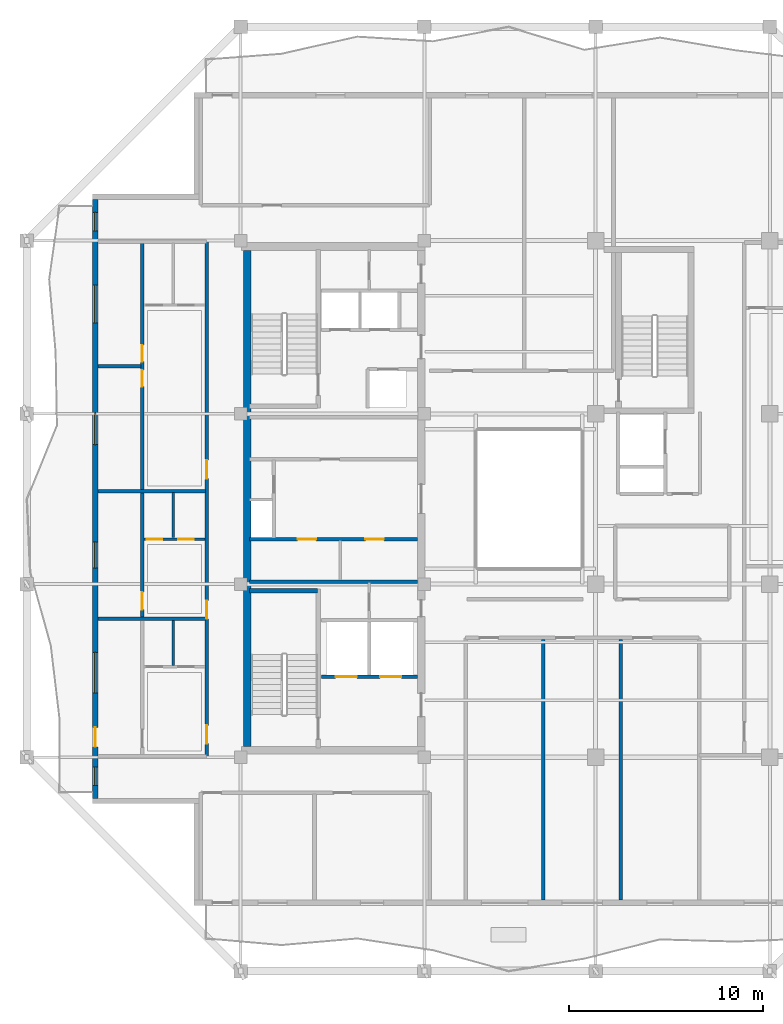
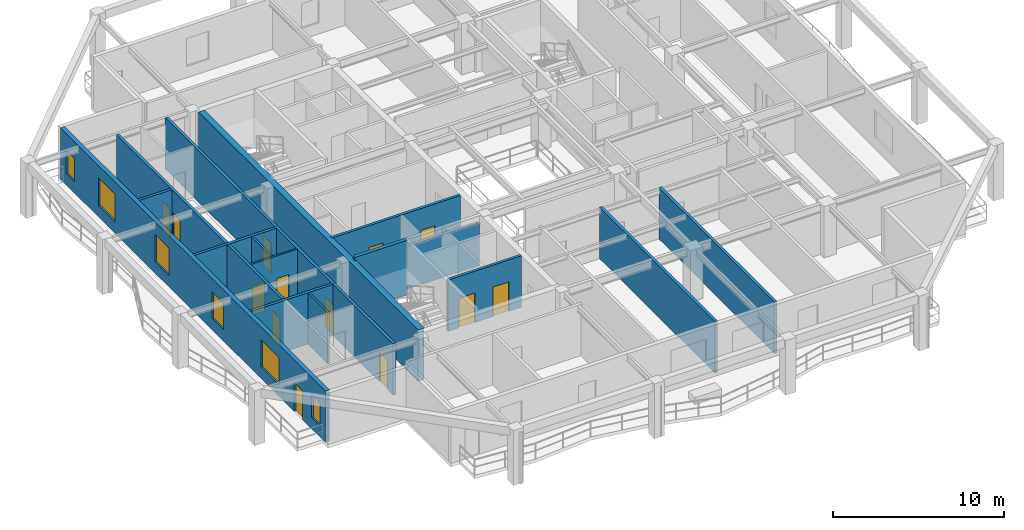
# One storey, part 3 of 11: 17 walls, 13 doors, 6 windows, 19 openings.
"""IFC4 building model written with IfcOpenShell, lengths in metres."""

from ifc_helpers import new_model, si_unit, direction, frame, frame_2d, origin, place, context, subcontext, project, spatial, rectangle, extrude, material, layer, layer_set, type_object, element, fill, save


model = new_model("IFC4")

# Units and contexts
model_context = context("Model", 3, precision=1e-05, world=origin(), true_north=direction((0.0, 1.0)))
body_context = subcontext(model_context, "Body", "Model", "MODEL_VIEW")
ifc_project = project(units=[si_unit("LENGTHUNIT", "METRE"), si_unit("AREAUNIT", "SQUARE_METRE"), si_unit("VOLUMEUNIT", "CUBIC_METRE"), si_unit("PLANEANGLEUNIT", "RADIAN"), si_unit("MASSUNIT", "GRAM", prefix="KILO")], contexts=[model_context])

# Site, building, storey
site_placement = place(None, origin())
site = spatial("IfcSite", under=ifc_project, at=site_placement, CompositionType="ELEMENT")
building_placement = place(site_placement, origin())
building = spatial("IfcBuilding", under=site, at=building_placement, Name="Kundavana Baori Tower", CompositionType="ELEMENT")
storey_placement = place(building_placement, frame((0.0, 0.0, 260.89990234375)))
storey = spatial("IfcBuildingStorey", under=building, at=storey_placement, Name="L64", CompositionType="ELEMENT", Elevation=260.89990234375)

# Walls
ifc_material_1 = material(Name="Concrete C50/60", Category="concrete")
ifc_layer_1 = layer(ifc_material_1, 0.39990234375, Name="WL-CORE-400")
ifc_layer_set_1 = layer_set([ifc_layer_1], Name="Concrete C50/60")
wall_type_1 = type_object("IfcWallType", Name="WL-CORE-400", PredefinedType="SHEAR", material=ifc_layer_set_1)
wall_1_placement = place(storey_placement, frame((15.7900390625, 15.81005859375, 0.0), z_axis=(0.0, 0.0, 1.0), x_axis=(0.0, 1.0, 0.0)))
element("IfcWall", 1, at=wall_1_placement, inside=storey, type_object=wall_type_1, Name="L64 Offset Core West Shear Wall", PredefinedType="SHEAR", context=body_context, shape_type="SweptSolid", body=[
    extrude(rectangle(XDim=25.6298828125, YDim=0.39990234375, at=frame_2d((12.81494140625, 0.0))), origin(), (0.0, 0.0, 1.0), 3.66015625),
])
wall_2_placement = place(storey_placement, frame((15.89990234375, 23.860107421875, 0.0), z_axis=(0.0, 0.0, 1.0), x_axis=(1.0, 0.0, 0.0)))
element("IfcWall", 2, at=wall_2_placement, inside=storey, type_object=wall_type_1, Name="WL-L64-ST1-N", PredefinedType="SHEAR", context=body_context, shape_type="SweptSolid", body=[
    extrude(rectangle(XDim=3.52001953125, YDim=0.239990234375, at=frame_2d((1.760009765625, 0.0))), origin(), (0.0, 0.0, 1.0), 3.900146484375),
])

# Wall, openings, door, windows
ifc_material_2 = material(Name="Red-Buff Dholpur Sandstone Cladding on Concrete C40/50", Category="masonry")
ifc_layer_2 = layer(ifc_material_2, 0.280029296875, Name="WL-EXT-SAND-280")
ifc_layer_set_2 = layer_set([ifc_layer_2], Name="Red-Buff Dholpur Sandstone Cladding on Concrete C40/50")
wall_type_2 = type_object("IfcWallType", Name="WL-EXT-SAND-280", PredefinedType="STANDARD", material=ifc_layer_set_2)
wall_3_placement = place(storey_placement, frame((7.93994140625, 44.070068359375, 0.0), z_axis=(0.0, 0.0, 1.0), x_axis=(0.0, -1.0, 0.0)))
wall_3 = element("IfcWall", 3, at=wall_3_placement, inside=storey, type_object=wall_type_2, Name="L64 Exterior Insulated Facade Wall 10", PredefinedType="STANDARD", context=body_context, shape_type="SweptSolid", body=[
    extrude(rectangle(XDim=30.940185546875, YDim=0.280029296875, at=frame_2d((15.47021484375, 0.0))), origin(), (0.0, 0.0, 1.0), 3.66015625),
])
opening_1_placement = place(wall_3_placement, frame((29.324951171875, 0.0, 0.800048828125)))
opening_1 = element("IfcOpeningElement", 4, at=opening_1_placement, cuts=wall_3, Name="Opening W-13", PredefinedType="OPENING", context=body_context, shape_type="SweptSolid", body=[
    extrude(rectangle(XDim=0.949951171875, YDim=1.64990234375, at=frame_2d((0.47509765625, 0.824951171875))), frame((0.0, 0.14990234375, 0.0), z_axis=(0.0, -1.0, 0.0), x_axis=(1.0, 0.0, 0.0)), (0.0, 0.0, 1.0), 0.300048828125),
])
opening_2_placement = place(wall_3_placement, frame((27.280029296875, 0.0, 0.0)))
opening_2 = element("IfcOpeningElement", 5, at=opening_2_placement, cuts=wall_3, Name="Opening BD-1", PredefinedType="OPENING", context=body_context, shape_type="SweptSolid", body=[
    extrude(rectangle(XDim=1.0, YDim=2.050048828125, at=frame_2d((0.5, 1.02490234375))), frame((0.0, 0.14990234375, 0.0), z_axis=(0.0, -1.0, 0.0), x_axis=(1.0, 0.0, 0.0)), (0.0, 0.0, 1.0), 0.300048828125),
])
opening_3_placement = place(wall_3_placement, frame((23.39501953125, 0.0, 0.800048828125)))
opening_3 = element("IfcOpeningElement", 6, at=opening_3_placement, cuts=wall_3, Name="Opening W-05", PredefinedType="OPENING", context=body_context, shape_type="SweptSolid", body=[
    extrude(rectangle(XDim=2.10009765625, YDim=1.949951171875, at=frame_2d((1.050048828125, 0.97509765625))), frame((0.0, 0.14990234375, 0.0), z_axis=(0.0, -1.0, 0.0), x_axis=(1.0, 0.0, 0.0)), (0.0, 0.0, 1.0), 0.300048828125),
])
opening_4_placement = place(wall_3_placement, frame((17.695068359375, 0.0, 0.800048828125)))
opening_4 = element("IfcOpeningElement", 7, at=opening_4_placement, cuts=wall_3, Name="Opening W-07", PredefinedType="OPENING", context=body_context, shape_type="SweptSolid", body=[
    extrude(rectangle(XDim=1.35009765625, YDim=1.89990234375, at=frame_2d((0.675048828125, 0.949951171875))), frame((0.0, 0.14990234375, 0.0), z_axis=(0.0, -1.0, 0.0), x_axis=(1.0, 0.0, 0.0)), (0.0, 0.0, 1.0), 0.300048828125),
])
opening_5_placement = place(wall_3_placement, frame((11.02001953125, 0.0, 0.800048828125)))
opening_5 = element("IfcOpeningElement", 8, at=opening_5_placement, cuts=wall_3, Name="Opening W-08", PredefinedType="OPENING", context=body_context, shape_type="SweptSolid", body=[
    extrude(rectangle(XDim=1.64990234375, YDim=1.949951171875, at=frame_2d((0.824951171875, 0.97509765625))), frame((0.0, 0.14990234375, 0.0), z_axis=(0.0, -1.0, 0.0), x_axis=(1.0, 0.0, 0.0)), (0.0, 0.0, 1.0), 0.300048828125),
])
opening_6_placement = place(wall_3_placement, frame((4.419921875, 0.0, 0.800048828125)))
opening_6 = element("IfcOpeningElement", 9, at=opening_6_placement, cuts=wall_3, Name="Opening W-09", PredefinedType="OPENING", context=body_context, shape_type="SweptSolid", body=[
    extrude(rectangle(XDim=1.949951171875, YDim=2.0, at=frame_2d((0.97509765625, 1.0))), frame((0.0, 0.14990234375, 0.0), z_axis=(0.0, -1.0, 0.0), x_axis=(1.0, 0.0, 0.0)), (0.0, 0.0, 1.0), 0.300048828125),
])
opening_7_placement = place(wall_3_placement, frame((0.6650390625, 0.0, 0.800048828125)))
opening_7 = element("IfcOpeningElement", 10, at=opening_7_placement, cuts=wall_3, Name="Opening W-13", PredefinedType="OPENING", context=body_context, shape_type="SweptSolid", body=[
    extrude(rectangle(XDim=0.949951171875, YDim=1.64990234375, at=frame_2d((0.47509765625, 0.824951171875))), frame((0.0, 0.14990234375, 0.0), z_axis=(0.0, -1.0, 0.0), x_axis=(1.0, 0.0, 0.0)), (0.0, 0.0, 1.0), 0.300048828125),
])
ifc_material_3 = material(Name="Architectural Patinated Bronze Metalwork")
door_type_1 = type_object("IfcDoorType", Name="DR-EXT-LOG-1000", OperationType="NOTDEFINED", PredefinedType="DOOR", material=ifc_material_3)
door_1_placement = place(opening_2_placement, frame((1.0, 0.0, 0.0), z_axis=(0.0, 0.0, 1.0), x_axis=(-1.0, 0.0, 0.0)))
door_1 = element("IfcDoor", 11, at=door_1_placement, inside=storey, type_object=door_type_1, Name="L64 Loggia Balcony Access Door W", OperationType="SINGLE_SWING_LEFT", OverallHeight=2.050048828125, OverallWidth=1.0, PredefinedType="DOOR", context=body_context, shape_type="SweptSolid", body=[
    extrude(rectangle(XDim=1.0, YDim=2.050048828125, at=frame_2d((0.5, 1.02490234375))), frame((0.0, 0.02490234375, 0.0), z_axis=(0.0, -1.0, 0.0), x_axis=(1.0, 0.0, 0.0)), (0.0, 0.0, 1.0), 0.050048828125),
])
fill(opening_2, door_1)
ifc_material_4 = material(Name="Double-Glazed Solar-Control Low-E Insulated Glass", Category="glass")
window_type_1 = type_object("IfcWindowType", Name="WIN-LOG-1350x1900", PartitioningType="SINGLE_PANEL", PredefinedType="WINDOW", material=ifc_material_4)
window_1_placement = place(opening_4_placement, origin())
window_1 = element("IfcWindow", 12, at=window_1_placement, inside=storey, type_object=window_type_1, Name="L64 Recessed Loggia Window W-3", OverallHeight=1.89990234375, OverallWidth=1.35009765625, PartitioningType="SINGLE_PANEL", PredefinedType="WINDOW", context=body_context, shape_type="SweptSolid", body=[
    extrude(rectangle(XDim=1.35009765625, YDim=1.89990234375, at=frame_2d((0.675048828125, 0.949951171875))), frame((0.0, 0.030029296875, 0.0), z_axis=(0.0, -1.0, 0.0), x_axis=(1.0, 0.0, 0.0)), (0.0, 0.0, 1.0), 0.06005859375),
])
fill(opening_4, window_1)
ifc_material_5 = material(Name="Double-Glazed Solar-Control Low-E Insulated Glass", Category="glass")
window_type_2 = type_object("IfcWindowType", Name="WIN-LOG-1650x1950", PartitioningType="SINGLE_PANEL", PredefinedType="WINDOW", material=ifc_material_5)
window_2_placement = place(opening_5_placement, origin())
window_2 = element("IfcWindow", 13, at=window_2_placement, inside=storey, type_object=window_type_2, Name="L64 Recessed Loggia Window W-4", OverallHeight=1.949951171875, OverallWidth=1.64990234375, PartitioningType="SINGLE_PANEL", PredefinedType="WINDOW", context=body_context, shape_type="SweptSolid", body=[
    extrude(rectangle(XDim=1.64990234375, YDim=1.949951171875, at=frame_2d((0.824951171875, 0.97509765625))), frame((0.0, 0.030029296875, 0.0), z_axis=(0.0, -1.0, 0.0), x_axis=(1.0, 0.0, 0.0)), (0.0, 0.0, 1.0), 0.06005859375),
])
fill(opening_5, window_2)
ifc_material_6 = material(Name="Double-Glazed Solar-Control Low-E Insulated Glass", Category="glass")
window_type_3 = type_object("IfcWindowType", Name="WIN-LOG-1950x2000", PartitioningType="SINGLE_PANEL", PredefinedType="WINDOW", material=ifc_material_6)
window_3_placement = place(opening_6_placement, origin())
window_3 = element("IfcWindow", 14, at=window_3_placement, inside=storey, type_object=window_type_3, Name="L64 Recessed Loggia Window W-5", OverallHeight=2.0, OverallWidth=1.949951171875, PartitioningType="SINGLE_PANEL", PredefinedType="WINDOW", context=body_context, shape_type="SweptSolid", body=[
    extrude(rectangle(XDim=1.949951171875, YDim=2.0, at=frame_2d((0.97509765625, 1.0))), frame((0.0, 0.030029296875, 0.0), z_axis=(0.0, -1.0, 0.0), x_axis=(1.0, 0.0, 0.0)), (0.0, 0.0, 1.0), 0.06005859375),
])
fill(opening_6, window_3)
ifc_material_7 = material(Name="Double-Glazed Solar-Control Low-E Insulated Glass", Category="glass")
window_type_4 = type_object("IfcWindowType", Name="WIN-LOG-2100x1950", PartitioningType="SINGLE_PANEL", PredefinedType="WINDOW", material=ifc_material_7)
window_4_placement = place(opening_3_placement, origin())
window_4 = element("IfcWindow", 15, at=window_4_placement, inside=storey, type_object=window_type_4, Name="L64 Recessed Loggia Window W-2", OverallHeight=1.949951171875, OverallWidth=2.10009765625, PartitioningType="SINGLE_PANEL", PredefinedType="WINDOW", context=body_context, shape_type="SweptSolid", body=[
    extrude(rectangle(XDim=2.10009765625, YDim=1.949951171875, at=frame_2d((1.050048828125, 0.97509765625))), frame((0.0, 0.030029296875, 0.0), z_axis=(0.0, -1.0, 0.0), x_axis=(1.0, 0.0, 0.0)), (0.0, 0.0, 1.0), 0.06005859375),
])
fill(opening_3, window_4)
ifc_material_8 = material(Name="Double-Glazed Solar-Control Low-E Insulated Glass", Category="glass")
window_type_5 = type_object("IfcWindowType", Name="WIN-LOG-950x1650", PartitioningType="SINGLE_PANEL", PredefinedType="WINDOW", material=ifc_material_8)
window_5_placement = place(opening_1_placement, origin())
window_5 = element("IfcWindow", 16, at=window_5_placement, inside=storey, type_object=window_type_5, Name="L64 Recessed Loggia Window W-1", OverallHeight=1.64990234375, OverallWidth=0.949951171875, PartitioningType="SINGLE_PANEL", PredefinedType="WINDOW", context=body_context, shape_type="SweptSolid", body=[
    extrude(rectangle(XDim=0.949951171875, YDim=1.64990234375, at=frame_2d((0.47509765625, 0.824951171875))), frame((0.0, 0.030029296875, 0.0), z_axis=(0.0, -1.0, 0.0), x_axis=(1.0, 0.0, 0.0)), (0.0, 0.0, 1.0), 0.06005859375),
])
fill(opening_1, window_5)
window_6_placement = place(opening_7_placement, origin())
window_6 = element("IfcWindow", 17, at=window_6_placement, inside=storey, type_object=window_type_5, Name="L64 Recessed Loggia Window W-6", OverallHeight=1.64990234375, OverallWidth=0.949951171875, PartitioningType="SINGLE_PANEL", PredefinedType="WINDOW", context=body_context, shape_type="SweptSolid", body=[
    extrude(rectangle(XDim=0.949951171875, YDim=1.64990234375, at=frame_2d((0.47509765625, 0.824951171875))), frame((0.0, 0.030029296875, 0.0), z_axis=(0.0, -1.0, 0.0), x_axis=(1.0, 0.0, 0.0)), (0.0, 0.0, 1.0), 0.06005859375),
])
fill(opening_7, window_6)

# Wall, openings, doors
ifc_material_9 = material(Name="Autoclaved Aerated Concrete Blockwork Masonry", Category="masonry")
ifc_layer_3 = layer(ifc_material_9, 0.18505859375, Name="WL-PART-180")
ifc_layer_set_3 = layer_set([ifc_layer_3], Name="Autoclaved Aerated Concrete Blockwork Masonry")
wall_type_3 = type_object("IfcWallType", Name="WL-PART-180", PredefinedType="SOLIDWALL", material=ifc_layer_set_3)
wall_4_placement = place(storey_placement, frame((13.699951171875, 15.300048828125, 0.0), z_axis=(0.0, 0.0, 1.0), x_axis=(0.0, 1.0, 0.0)))
wall_4 = element("IfcWall", 18, at=wall_4_placement, inside=storey, type_object=wall_type_3, Name="WL-L64-RW", PredefinedType="SOLIDWALL", context=body_context, shape_type="SweptSolid", body=[
    extrude(rectangle(XDim=26.599853515625, YDim=0.18505859375, at=frame_2d((13.2998046875, 0.0))), origin(), (0.0, 0.0, 1.0), 3.66015625),
])
opening_8_placement = place(wall_4_placement, frame((0.64990234375, 0.0, 0.0)))
opening_8 = element("IfcOpeningElement", 19, at=opening_8_placement, cuts=wall_4, Name="Opening FD-095", PredefinedType="OPENING", context=body_context, shape_type="SweptSolid", body=[
    extrude(rectangle(XDim=0.949951171875, YDim=2.10009765625, at=frame_2d((0.47509765625, 1.050048828125))), frame((0.0, 0.1025390625, 0.0), z_axis=(0.0, -1.0, 0.0), x_axis=(1.0, 0.0, 0.0)), (0.0, 0.0, 1.0), 0.205078125),
])
opening_9_placement = place(wall_4_placement, frame((7.10009765625, 0.0, 0.0)))
opening_9 = element("IfcOpeningElement", 20, at=opening_9_placement, cuts=wall_4, Name="Opening FD-095", PredefinedType="OPENING", context=body_context, shape_type="SweptSolid", body=[
    extrude(rectangle(XDim=0.949951171875, YDim=2.10009765625, at=frame_2d((0.47509765625, 1.050048828125))), frame((0.0, 0.1025390625, 0.0), z_axis=(0.0, -1.0, 0.0), x_axis=(1.0, 0.0, 0.0)), (0.0, 0.0, 1.0), 0.205078125),
])
opening_10_placement = place(wall_4_placement, frame((14.35009765625, 0.0, 0.0)))
opening_10 = element("IfcOpeningElement", 21, at=opening_10_placement, cuts=wall_4, Name="Opening FD-095", PredefinedType="OPENING", context=body_context, shape_type="SweptSolid", body=[
    extrude(rectangle(XDim=0.949951171875, YDim=2.10009765625, at=frame_2d((0.47509765625, 1.050048828125))), frame((0.0, 0.1025390625, 0.0), z_axis=(0.0, -1.0, 0.0), x_axis=(1.0, 0.0, 0.0)), (0.0, 0.0, 1.0), 0.205078125),
])
ifc_material_10 = material(Name="Engineered Teak Fire-Rated Timber Door Leaf", Category="wood")
door_type_2 = type_object("IfcDoorType", Name="DR-FD60-950", OperationType="NOTDEFINED", PredefinedType="DOOR", material=ifc_material_10)
door_2_placement = place(opening_8_placement, frame((0.949951171875, 0.0, 0.0), z_axis=(0.0, 0.0, 1.0), x_axis=(-1.0, 0.0, 0.0)))
door_2 = element("IfcDoor", 22, at=door_2_placement, inside=storey, type_object=door_type_2, Name="DR-L64-W1-ENT", OperationType="SINGLE_SWING_LEFT", OverallHeight=2.10009765625, OverallWidth=0.949951171875, PredefinedType="DOOR", context=body_context, shape_type="SweptSolid", body=[
    extrude(rectangle(XDim=0.949951171875, YDim=2.10009765625, at=frame_2d((0.47509765625, 1.050048828125))), frame((0.0, 0.02490234375, 0.0), z_axis=(0.0, -1.0, 0.0), x_axis=(1.0, 0.0, 0.0)), (0.0, 0.0, 1.0), 0.050048828125),
])
fill(opening_8, door_2)
door_3_placement = place(opening_9_placement, frame((0.949951171875, 0.0, 0.0), z_axis=(0.0, 0.0, 1.0), x_axis=(-1.0, 0.0, 0.0)))
door_3 = element("IfcDoor", 23, at=door_3_placement, inside=storey, type_object=door_type_2, Name="DR-L64-W2-ENT", OperationType="SINGLE_SWING_LEFT", OverallHeight=2.10009765625, OverallWidth=0.949951171875, PredefinedType="DOOR", context=body_context, shape_type="SweptSolid", body=[
    extrude(rectangle(XDim=0.949951171875, YDim=2.10009765625, at=frame_2d((0.47509765625, 1.050048828125))), frame((0.0, 0.02490234375, 0.0), z_axis=(0.0, -1.0, 0.0), x_axis=(1.0, 0.0, 0.0)), (0.0, 0.0, 1.0), 0.050048828125),
])
fill(opening_9, door_3)
door_4_placement = place(opening_10_placement, frame((0.949951171875, 0.0, 0.0), z_axis=(0.0, 0.0, 1.0), x_axis=(-1.0, 0.0, 0.0)))
door_4 = element("IfcDoor", 24, at=door_4_placement, inside=storey, type_object=door_type_2, Name="DR-L64-W3-ENT", OperationType="SINGLE_SWING_LEFT", OverallHeight=2.10009765625, OverallWidth=0.949951171875, PredefinedType="DOOR", context=body_context, shape_type="SweptSolid", body=[
    extrude(rectangle(XDim=0.949951171875, YDim=2.10009765625, at=frame_2d((0.47509765625, 1.050048828125))), frame((0.0, 0.02490234375, 0.0), z_axis=(0.0, -1.0, 0.0), x_axis=(1.0, 0.0, 0.0)), (0.0, 0.0, 1.0), 0.050048828125),
])
fill(opening_10, door_4)

# Wall
wall_5_placement = place(storey_placement, frame((8.080078125, 22.39990234375, 0.0), z_axis=(0.0, 0.0, 1.0), x_axis=(1.0, 0.0, 0.0)))
element("IfcWall", 25, at=wall_5_placement, inside=storey, type_object=wall_type_3, Name="WL-L64-RWD1", PredefinedType="SOLIDWALL", context=body_context, shape_type="SweptSolid", body=[
    extrude(rectangle(XDim=5.559814453125, YDim=0.18505859375, at=frame_2d((2.77978515625, 0.0))), origin(), (0.0, 0.0, 1.0), 3.66015625),
])

# Wall, opening, door
wall_6_placement = place(storey_placement, frame((10.3701171875, 22.47998046875, 0.0), z_axis=(0.0, 0.0, 1.0), x_axis=(0.0, 1.0, 0.0)))
wall_6 = element("IfcWall", 26, at=wall_6_placement, inside=storey, type_object=wall_type_3, Name="WL-L64-W2-VT", PredefinedType="SOLIDWALL", context=body_context, shape_type="SweptSolid", body=[
    extrude(rectangle(XDim=6.43994140625, YDim=0.18505859375, at=frame_2d((3.219970703125, 0.0))), origin(), (0.0, 0.0, 1.0), 3.66015625),
])
opening_11_placement = place(wall_6_placement, frame((0.39990234375, 0.0, 0.0)))
opening_11 = element("IfcOpeningElement", 27, at=opening_11_placement, cuts=wall_6, Name="Opening ID-090", PredefinedType="OPENING", context=body_context, shape_type="SweptSolid", body=[
    extrude(rectangle(XDim=0.89990234375, YDim=2.080078125, at=frame_2d((0.449951171875, 1.0400390625))), frame((0.0, 0.1025390625, 0.0), z_axis=(0.0, -1.0, 0.0), x_axis=(1.0, 0.0, 0.0)), (0.0, 0.0, 1.0), 0.205078125),
])
ifc_material_11 = material(Name="Engineered Teak Solid-Core Timber Veneer", Category="wood")
door_type_3 = type_object("IfcDoorType", Name="DR-INT-900", OperationType="NOTDEFINED", PredefinedType="DOOR", material=ifc_material_11)
door_5_placement = place(opening_11_placement, frame((0.89990234375, 0.0, 0.0), z_axis=(0.0, 0.0, 1.0), x_axis=(-1.0, 0.0, 0.0)))
door_5 = element("IfcDoor", 28, at=door_5_placement, inside=storey, type_object=door_type_3, Name="DR-L64-W2-B1", OperationType="SINGLE_SWING_LEFT", OverallHeight=2.080078125, OverallWidth=0.89990234375, PredefinedType="DOOR", context=body_context, shape_type="SweptSolid", body=[
    extrude(rectangle(XDim=0.89990234375, YDim=2.080078125, at=frame_2d((0.449951171875, 1.0400390625))), frame((0.0, 0.02490234375, 0.0), z_axis=(0.0, -1.0, 0.0), x_axis=(1.0, 0.0, 0.0)), (0.0, 0.0, 1.0), 0.050048828125),
])
fill(opening_11, door_5)

# Wall
wall_7_placement = place(storey_placement, frame((8.080078125, 29.0, 0.0), z_axis=(0.0, 0.0, 1.0), x_axis=(1.0, 0.0, 0.0)))
element("IfcWall", 29, at=wall_7_placement, inside=storey, type_object=wall_type_3, Name="WL-L64-RWD2", PredefinedType="SOLIDWALL", context=body_context, shape_type="SweptSolid", body=[
    extrude(rectangle(XDim=5.559814453125, YDim=0.18505859375, at=frame_2d((2.77978515625, 0.0))), origin(), (0.0, 0.0, 1.0), 3.66015625),
])

# Wall, openings, doors
wall_8_placement = place(storey_placement, frame((10.3701171875, 29.080078125, 0.0), z_axis=(0.0, 0.0, 1.0), x_axis=(0.0, 1.0, 0.0)))
wall_8 = element("IfcWall", 30, at=wall_8_placement, inside=storey, type_object=wall_type_3, Name="WL-L64-W3-VT", PredefinedType="SOLIDWALL", context=body_context, shape_type="SweptSolid", body=[
    extrude(rectangle(XDim=12.739990234375, YDim=0.18505859375, at=frame_2d((6.3701171875, 0.0))), origin(), (0.0, 0.0, 1.0), 3.66015625),
])
opening_12_placement = place(wall_8_placement, frame((5.320068359375, 0.0, 0.0)))
opening_12 = element("IfcOpeningElement", 31, at=opening_12_placement, cuts=wall_8, Name="Opening ID-085", PredefinedType="OPENING", context=body_context, shape_type="SweptSolid", body=[
    extrude(rectangle(XDim=0.85009765625, YDim=2.080078125, at=frame_2d((0.425048828125, 1.0400390625))), frame((0.0, 0.1025390625, 0.0), z_axis=(0.0, -1.0, 0.0), x_axis=(1.0, 0.0, 0.0)), (0.0, 0.0, 1.0), 0.205078125),
])
opening_13_placement = place(wall_8_placement, frame((6.6201171875, 0.0, 0.0)))
opening_13 = element("IfcOpeningElement", 32, at=opening_13_placement, cuts=wall_8, Name="Opening ID-085", PredefinedType="OPENING", context=body_context, shape_type="SweptSolid", body=[
    extrude(rectangle(XDim=0.85009765625, YDim=2.080078125, at=frame_2d((0.425048828125, 1.0400390625))), frame((0.0, 0.1025390625, 0.0), z_axis=(0.0, -1.0, 0.0), x_axis=(1.0, 0.0, 0.0)), (0.0, 0.0, 1.0), 0.205078125),
])
ifc_material_12 = material(Name="Engineered Teak Solid-Core Timber Veneer", Category="wood")
door_type_4 = type_object("IfcDoorType", Name="DR-INT-850", OperationType="NOTDEFINED", PredefinedType="DOOR", material=ifc_material_12)
door_6_placement = place(opening_12_placement, frame((0.85009765625, 0.0, 0.0), z_axis=(0.0, 0.0, 1.0), x_axis=(-1.0, 0.0, 0.0)))
door_6 = element("IfcDoor", 33, at=door_6_placement, inside=storey, type_object=door_type_4, Name="DR-L64-W3-B1", OperationType="SINGLE_SWING_LEFT", OverallHeight=2.080078125, OverallWidth=0.85009765625, PredefinedType="DOOR", context=body_context, shape_type="SweptSolid", body=[
    extrude(rectangle(XDim=0.85009765625, YDim=2.080078125, at=frame_2d((0.425048828125, 1.0400390625))), frame((0.0, 0.02490234375, 0.0), z_axis=(0.0, -1.0, 0.0), x_axis=(1.0, 0.0, 0.0)), (0.0, 0.0, 1.0), 0.050048828125),
])
fill(opening_12, door_6)
door_7_placement = place(opening_13_placement, frame((0.85009765625, 0.0, 0.0), z_axis=(0.0, 0.0, 1.0), x_axis=(-1.0, 0.0, 0.0)))
door_7 = element("IfcDoor", 34, at=door_7_placement, inside=storey, type_object=door_type_4, Name="DR-L64-W3-B2", OperationType="SINGLE_SWING_RIGHT", OverallHeight=2.080078125, OverallWidth=0.85009765625, PredefinedType="DOOR", context=body_context, shape_type="SweptSolid", body=[
    extrude(rectangle(XDim=0.85009765625, YDim=2.080078125, at=frame_2d((0.425048828125, 1.0400390625))), frame((0.0, 0.02490234375, 0.0), z_axis=(0.0, -1.0, 0.0), x_axis=(1.0, 0.0, 0.0)), (0.0, 0.0, 1.0), 0.050048828125),
])
fill(opening_13, door_7)

# Walls
wall_9_placement = place(storey_placement, frame((8.080078125, 35.449951171875, 0.0), z_axis=(0.0, 0.0, 1.0), x_axis=(1.0, 0.0, 0.0)))
element("IfcWall", 35, at=wall_9_placement, inside=storey, type_object=wall_type_3, Name="WL-L64-W3-BDH", PredefinedType="SOLIDWALL", context=body_context, shape_type="SweptSolid", body=[
    extrude(rectangle(XDim=2.2099609375, YDim=0.18505859375, at=frame_2d((1.10498046875, 0.0))), origin(), (0.0, 0.0, 1.0), 3.66015625),
])
for number, where, z_axis, x_axis, name in (
    (36, (31.10009765625, 7.8798828125, 0.0), (0.0, 0.0, 1.0), (0.0, 1.0, 0.0), "WL-L64-RSD1"),
    (37, (35.10009765625, 7.8798828125, 0.0), (0.0, 0.0, 1.0), (0.0, 1.0, 0.0), "WL-L64-RSD2"),
):
    element("IfcWall", number, at=place(storey_placement, frame(where, z_axis=z_axis, x_axis=x_axis)), inside=storey, type_object=wall_type_3, Name=name, PredefinedType="SOLIDWALL", context=body_context, shape_type="SweptSolid", body=[
        extrude(rectangle(XDim=13.460205078125, YDim=0.18505859375, at=frame_2d((6.72998046875, 0.0))), origin(), (0.0, 0.0, 1.0), 3.66015625),
    ])

# Wall, openings, doors
ifc_material_13 = material(Name="Autoclaved Aerated Concrete Blockwork Masonry", Category="masonry")
ifc_layer_4 = layer(ifc_material_13, 0.179931640625, Name="WL-SHAFT-180")
ifc_layer_set_4 = layer_set([ifc_layer_4], Name="Autoclaved Aerated Concrete Blockwork Masonry")
wall_type_4 = type_object("IfcWallType", Name="WL-SHAFT-180", PredefinedType="SOLIDWALL", material=ifc_layer_set_4)
wall_10_placement = place(storey_placement, frame((19.639892578125, 19.419921875, 0.0), z_axis=(0.0, 0.0, 1.0), x_axis=(1.0, 0.0, 0.0)))
wall_10 = element("IfcWall", 38, at=wall_10_placement, inside=storey, type_object=wall_type_4, Name="WL-L64-FFL-S", PredefinedType="SOLIDWALL", context=body_context, shape_type="SweptSolid", body=[
    extrude(rectangle(XDim=4.940185546875, YDim=0.179931640625, at=frame_2d((2.47021484375, 0.0))), origin(), (0.0, 0.0, 1.0), 3.66015625),
])
opening_14_placement = place(wall_10_placement, frame((0.719970703125, 0.0, 0.0)))
opening_14 = element("IfcOpeningElement", 39, at=opening_14_placement, cuts=wall_10, Name="Opening LD-110", PredefinedType="OPENING", context=body_context, shape_type="SweptSolid", body=[
    extrude(rectangle(XDim=1.10009765625, YDim=2.10009765625, at=frame_2d((0.550048828125, 1.050048828125))), frame((0.0, 0.10009765625, 0.0), z_axis=(0.0, -1.0, 0.0), x_axis=(1.0, 0.0, 0.0)), (0.0, 0.0, 1.0), 0.199951171875),
])
opening_15_placement = place(wall_10_placement, frame((3.02001953125, 0.0, 0.0)))
opening_15 = element("IfcOpeningElement", 40, at=opening_15_placement, cuts=wall_10, Name="Opening LD-110", PredefinedType="OPENING", context=body_context, shape_type="SweptSolid", body=[
    extrude(rectangle(XDim=1.10009765625, YDim=2.10009765625, at=frame_2d((0.550048828125, 1.050048828125))), frame((0.0, 0.10009765625, 0.0), z_axis=(0.0, -1.0, 0.0), x_axis=(1.0, 0.0, 0.0)), (0.0, 0.0, 1.0), 0.199951171875),
])
ifc_material_14 = material(Name="Galvanised Steel Fire-Rated Door Leaf", Category="steel")
door_type_5 = type_object("IfcDoorType", Name="DR-SLIDE-LD1100", OperationType="NOTDEFINED", PredefinedType="DOOR", material=ifc_material_14)
door_8_placement = place(opening_14_placement, origin())
door_8 = element("IfcDoor", 41, at=door_8_placement, inside=storey, type_object=door_type_5, Name="DR-L64-LD-FFL-1", OperationType="DOUBLE_DOOR_SLIDING", OverallHeight=2.10009765625, OverallWidth=1.10009765625, PredefinedType="DOOR", context=body_context, shape_type="SweptSolid", body=[
    extrude(rectangle(XDim=1.10009765625, YDim=2.10009765625, at=frame_2d((0.550048828125, 1.050048828125))), frame((0.0, 0.02490234375, 0.0), z_axis=(0.0, -1.0, 0.0), x_axis=(1.0, 0.0, 0.0)), (0.0, 0.0, 1.0), 0.050048828125),
])
fill(opening_14, door_8)
door_9_placement = place(opening_15_placement, origin())
door_9 = element("IfcDoor", 42, at=door_9_placement, inside=storey, type_object=door_type_5, Name="DR-L64-LD-FFL-2", OperationType="DOUBLE_DOOR_SLIDING", OverallHeight=2.10009765625, OverallWidth=1.10009765625, PredefinedType="DOOR", context=body_context, shape_type="SweptSolid", body=[
    extrude(rectangle(XDim=1.10009765625, YDim=2.10009765625, at=frame_2d((0.550048828125, 1.050048828125))), frame((0.0, 0.02490234375, 0.0), z_axis=(0.0, -1.0, 0.0), x_axis=(1.0, 0.0, 0.0)), (0.0, 0.0, 1.0), 0.050048828125),
])
fill(opening_15, door_9)

wall_11_placement = place(storey_placement, frame((15.89990234375, 26.52001953125, 0.0), z_axis=(0.0, 0.0, 1.0), x_axis=(1.0, 0.0, 0.0)))
wall_11 = element("IfcWall", 43, at=wall_11_placement, inside=storey, type_object=wall_type_4, Name="WL-L64-LPLOW-N", PredefinedType="SOLIDWALL", context=body_context, shape_type="SweptSolid", body=[
    extrude(rectangle(XDim=8.68017578125, YDim=0.179931640625, at=frame_2d((4.340087890625, 0.0))), origin(), (0.0, 0.0, 1.0), 3.66015625),
])
opening_16_placement = place(wall_11_placement, frame((2.5, 0.0, 0.0)))
opening_16 = element("IfcOpeningElement", 44, at=opening_16_placement, cuts=wall_11, Name="Opening FD-095", PredefinedType="OPENING", context=body_context, shape_type="SweptSolid", body=[
    extrude(rectangle(XDim=0.949951171875, YDim=2.10009765625, at=frame_2d((0.47509765625, 1.050048828125))), frame((0.0, 0.10009765625, 0.0), z_axis=(0.0, -1.0, 0.0), x_axis=(1.0, 0.0, 0.0)), (0.0, 0.0, 1.0), 0.199951171875),
])
opening_17_placement = place(wall_11_placement, frame((6.0, 0.0, 0.0)))
opening_17 = element("IfcOpeningElement", 45, at=opening_17_placement, cuts=wall_11, Name="Opening FD-095", PredefinedType="OPENING", context=body_context, shape_type="SweptSolid", body=[
    extrude(rectangle(XDim=0.949951171875, YDim=2.10009765625, at=frame_2d((0.47509765625, 1.050048828125))), frame((0.0, 0.10009765625, 0.0), z_axis=(0.0, -1.0, 0.0), x_axis=(1.0, 0.0, 0.0)), (0.0, 0.0, 1.0), 0.199951171875),
])
door_10_placement = place(opening_16_placement, origin())
door_10 = element("IfcDoor", 46, at=door_10_placement, inside=storey, type_object=door_type_2, Name="DR-L64-FRLOW1", OperationType="SINGLE_SWING_LEFT", OverallHeight=2.10009765625, OverallWidth=0.949951171875, PredefinedType="DOOR", context=body_context, shape_type="SweptSolid", body=[
    extrude(rectangle(XDim=0.949951171875, YDim=2.10009765625, at=frame_2d((0.47509765625, 1.050048828125))), frame((0.0, 0.02490234375, 0.0), z_axis=(0.0, -1.0, 0.0), x_axis=(1.0, 0.0, 0.0)), (0.0, 0.0, 1.0), 0.050048828125),
])
fill(opening_16, door_10)
door_11_placement = place(opening_17_placement, origin())
door_11 = element("IfcDoor", 47, at=door_11_placement, inside=storey, type_object=door_type_2, Name="DR-L64-FRLOW2", OperationType="SINGLE_SWING_RIGHT", OverallHeight=2.10009765625, OverallWidth=0.949951171875, PredefinedType="DOOR", context=body_context, shape_type="SweptSolid", body=[
    extrude(rectangle(XDim=0.949951171875, YDim=2.10009765625, at=frame_2d((0.47509765625, 1.050048828125))), frame((0.0, 0.02490234375, 0.0), z_axis=(0.0, -1.0, 0.0), x_axis=(1.0, 0.0, 0.0)), (0.0, 0.0, 1.0), 0.050048828125),
])
fill(opening_17, door_11)

# Walls
wall_12_placement = place(storey_placement, frame((15.89990234375, 24.330078125, 0.0), z_axis=(0.0, 0.0, 1.0), x_axis=(1.0, 0.0, 0.0)))
element("IfcWall", 48, at=wall_12_placement, inside=storey, type_object=wall_type_4, Name="WL-L64-LPLOW-S", PredefinedType="SOLIDWALL", context=body_context, shape_type="SweptSolid", body=[
    extrude(rectangle(XDim=8.68017578125, YDim=0.179931640625, at=frame_2d((4.340087890625, 0.0))), origin(), (0.0, 0.0, 1.0), 3.06005859375),
])
ifc_material_15 = material(Name="Autoclaved Aerated Concrete Blockwork Masonry", Category="masonry")
ifc_layer_5 = layer(ifc_material_15, 0.125, Name="WL-WET-120")
ifc_layer_set_5 = layer_set([ifc_layer_5], Name="Autoclaved Aerated Concrete Blockwork Masonry")
wall_type_5 = type_object("IfcWallType", Name="WL-WET-120", PredefinedType="PLUMBINGWALL", material=ifc_layer_set_5)
wall_13_placement = place(storey_placement, frame((11.971923828125, 20.0, 0.0), z_axis=(0.0, 0.0, 1.0), x_axis=(0.0, 1.0, 0.0)))
element("IfcWall", 49, at=wall_13_placement, inside=storey, type_object=wall_type_5, Name="WL-L64-W1-BV", PredefinedType="PLUMBINGWALL", context=body_context, shape_type="SweptSolid", body=[
    extrude(rectangle(XDim=2.320068359375, YDim=0.125, at=frame_2d((1.16015625, 0.0))), origin(), (0.0, 0.0, 1.0), 3.66015625),
])

# Wall, openings, doors
wall_14_placement = place(storey_placement, frame((10.449951171875, 26.52001953125, 0.0), z_axis=(0.0, 0.0, 1.0), x_axis=(1.0, 0.0, 0.0)))
wall_14 = element("IfcWall", 50, at=wall_14_placement, inside=storey, type_object=wall_type_5, Name="WL-L64-W2-KH", PredefinedType="PLUMBINGWALL", context=body_context, shape_type="SweptSolid", body=[
    extrude(rectangle(XDim=3.170166015625, YDim=0.125, at=frame_2d((1.5849609375, 0.0))), origin(), (0.0, 0.0, 1.0), 3.66015625),
])
opening_18_placement = place(wall_14_placement, frame((0.159912109375, 0.0, 0.0)))
opening_18 = element("IfcOpeningElement", 51, at=opening_18_placement, cuts=wall_14, Name="Opening WD-080", PredefinedType="OPENING", context=body_context, shape_type="SweptSolid", body=[
    extrude(rectangle(XDim=0.800048828125, YDim=2.050048828125, at=frame_2d((0.39990234375, 1.02490234375))), frame((0.0, 0.072509765625, 0.0), z_axis=(0.0, -1.0, 0.0), x_axis=(1.0, 0.0, 0.0)), (0.0, 0.0, 1.0), 0.14501953125),
])
opening_19_placement = place(wall_14_placement, frame((1.781982421875, 0.0, 0.0)))
opening_19 = element("IfcOpeningElement", 52, at=opening_19_placement, cuts=wall_14, Name="Opening WD-080", PredefinedType="OPENING", context=body_context, shape_type="SweptSolid", body=[
    extrude(rectangle(XDim=0.800048828125, YDim=2.050048828125, at=frame_2d((0.39990234375, 1.02490234375))), frame((0.0, 0.072509765625, 0.0), z_axis=(0.0, -1.0, 0.0), x_axis=(1.0, 0.0, 0.0)), (0.0, 0.0, 1.0), 0.14501953125),
])
ifc_material_16 = material(Name="Engineered Teak Solid-Core Timber Veneer", Category="wood")
door_type_6 = type_object("IfcDoorType", Name="DR-WET-800", OperationType="NOTDEFINED", PredefinedType="DOOR", material=ifc_material_16)
door_12_placement = place(opening_18_placement, origin())
door_12 = element("IfcDoor", 53, at=door_12_placement, inside=storey, type_object=door_type_6, Name="DR-L64-W2-BT", OperationType="SINGLE_SWING_LEFT", OverallHeight=2.050048828125, OverallWidth=0.800048828125, PredefinedType="DOOR", context=body_context, shape_type="SweptSolid", body=[
    extrude(rectangle(XDim=0.800048828125, YDim=2.050048828125, at=frame_2d((0.39990234375, 1.02490234375))), frame((0.0, 0.02490234375, 0.0), z_axis=(0.0, -1.0, 0.0), x_axis=(1.0, 0.0, 0.0)), (0.0, 0.0, 1.0), 0.050048828125),
])
fill(opening_18, door_12)
door_13_placement = place(opening_19_placement, origin())
door_13 = element("IfcDoor", 54, at=door_13_placement, inside=storey, type_object=door_type_6, Name="DR-L64-W2-KT", OperationType="SINGLE_SWING_RIGHT", OverallHeight=2.050048828125, OverallWidth=0.800048828125, PredefinedType="DOOR", context=body_context, shape_type="SweptSolid", body=[
    extrude(rectangle(XDim=0.800048828125, YDim=2.050048828125, at=frame_2d((0.39990234375, 1.02490234375))), frame((0.0, 0.02490234375, 0.0), z_axis=(0.0, -1.0, 0.0), x_axis=(1.0, 0.0, 0.0)), (0.0, 0.0, 1.0), 0.050048828125),
])
fill(opening_19, door_13)

# Wall
wall_15_placement = place(storey_placement, frame((11.971923828125, 26.60009765625, 0.0), z_axis=(0.0, 0.0, 1.0), x_axis=(0.0, 1.0, 0.0)))
element("IfcWall", 55, at=wall_15_placement, inside=storey, type_object=wall_type_5, Name="WL-L64-W2-BV", PredefinedType="PLUMBINGWALL", context=body_context, shape_type="SweptSolid", body=[
    extrude(rectangle(XDim=2.31982421875, YDim=0.125, at=frame_2d((1.159912109375, 0.0))), origin(), (0.0, 0.0, 1.0), 3.66015625),
])

save(model, "model.ifc")
